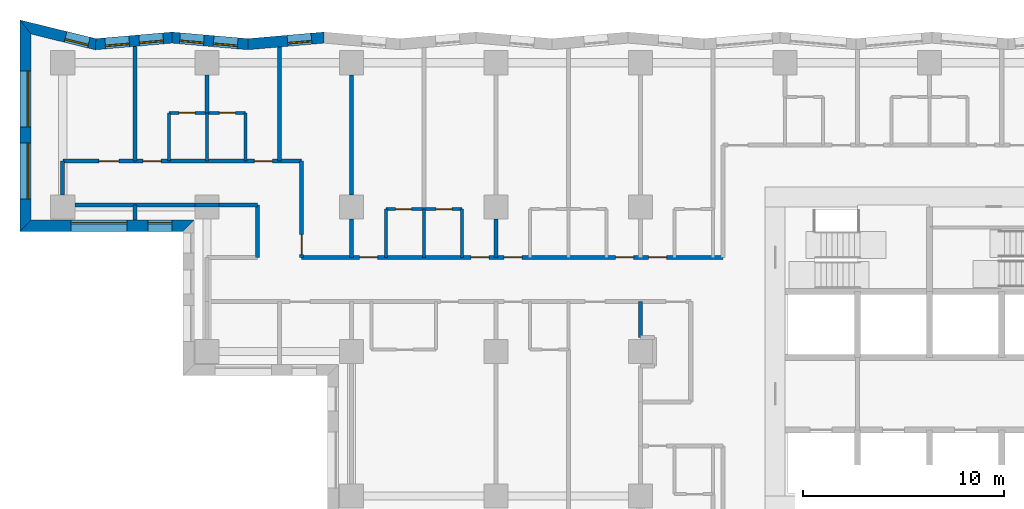
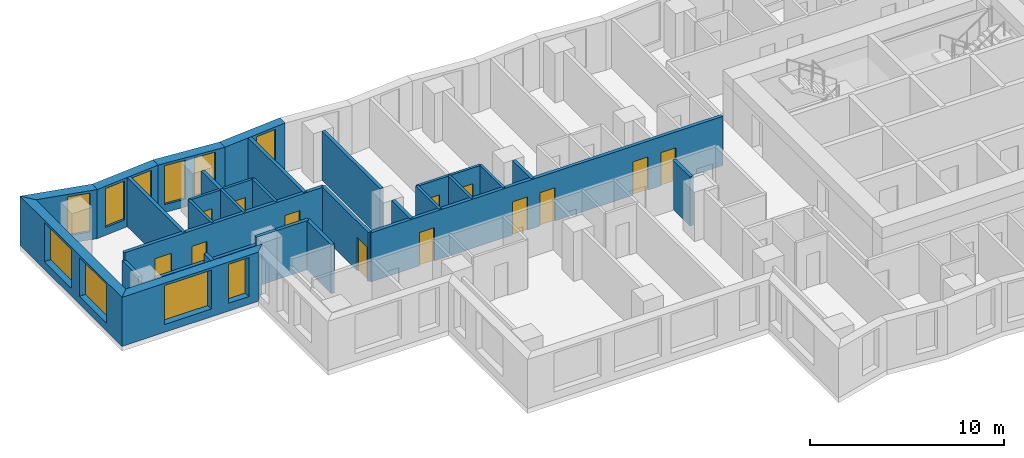
# One storey, part 4 of 13: 30 walls, 13 doors, 10 windows, 23 openings.
"""IFC4 building model written with IfcOpenShell, lengths in metres."""

from ifc_helpers import new_model, si_unit, direction, frame, frame_2d, origin, place, context, subcontext, project, spatial, polyline, rectangle, outline, extrude, material, layer, layer_set, type_object, element, fill, save


model = new_model("IFC4")

# Units and contexts
model_context = context("Model", 3, precision=1e-05, world=origin(), true_north=direction((0.0, 1.0)))
body_context = subcontext(model_context, "Body", "Model", "MODEL_VIEW")
ifc_project = project(units=[si_unit("LENGTHUNIT", "METRE"), si_unit("AREAUNIT", "SQUARE_METRE"), si_unit("VOLUMEUNIT", "CUBIC_METRE"), si_unit("PLANEANGLEUNIT", "RADIAN"), si_unit("MASSUNIT", "GRAM", prefix="KILO")], contexts=[model_context])

# Site, building, storey
site_placement = place(None, origin())
site = spatial("IfcSite", under=ifc_project, at=site_placement, CompositionType="ELEMENT")
building_placement = place(site_placement, origin())
building = spatial("IfcBuilding", under=site, at=building_placement, Name="Windrow Commons", CompositionType="ELEMENT")
storey_placement = place(building_placement, frame((0.0, 0.0, 30.4)))
storey = spatial("IfcBuildingStorey", under=building, at=storey_placement, Name="L07", CompositionType="ELEMENT", Elevation=30.4)

# Wall, opening, window
ifc_material_1 = material(Name="Brick masonry, red clay brick", Category="masonry")
ifc_layer_1 = layer(ifc_material_1, 0.55)
ifc_layer_set_1 = layer_set([ifc_layer_1], Name="Brick facade wall 550")
wall_type_1 = type_object("IfcWallType", Name="Brick facade wall 550", PredefinedType="SOLIDWALL", material=ifc_layer_set_1)
wall_1_placement = place(storey_placement, frame((34.6231, 73.254, 0.0), z_axis=(0.0, 0.0, 1.0), x_axis=(-0.9962273538, -0.0867816769, 0.0)))
wall_1 = element("IfcWall", 1, at=wall_1_placement, inside=storey, type_object=wall_type_1, Name="Brick facade wall L07 35", PredefinedType="SOLIDWALL", context=body_context, shape_type="SweptSolid", body=[
    extrude(outline(polyline([(-0.024, -0.275), (3.7787, -0.275), (3.8266, 0.275), (0.024, 0.275), (-0.024, -0.275)])), origin(), (0.0, 0.0, 1.0), 3.1),
])
opening_1_placement = place(wall_1_placement, frame((0.6277, 0.0, 0.5)))
opening_1 = element("IfcOpeningElement", 2, at=opening_1_placement, cuts=wall_1, Name="Opening W7D", PredefinedType="OPENING", context=body_context, shape_type="SweptSolid", body=[
    extrude(rectangle(XDim=1.2, YDim=2.45, at=frame_2d((0.6, 1.225))), frame((0.0, 0.285, 0.0), z_axis=(0.0, -1.0, 0.0), x_axis=(1.0, 0.0, 0.0)), (0.0, 0.0, 1.0), 0.57),
])
ifc_material_2 = material(Name="Clear float glass in anodised aluminium frame", Category="aluminium")
window_type_1 = type_object("IfcWindowType", Name="Window W7 notch 1200x2450", PartitioningType="SINGLE_PANEL", PredefinedType="WINDOW", material=ifc_material_2)
window_1_placement = place(opening_1_placement, origin())
window_1 = element("IfcWindow", 3, at=window_1_placement, inside=storey, type_object=window_type_1, Name="Window L07 35.1", OverallHeight=2.45, OverallWidth=1.2, PartitioningType="SINGLE_PANEL", PredefinedType="WINDOW", context=body_context, shape_type="SweptSolid", body=[
    extrude(rectangle(XDim=1.2, YDim=2.45, at=frame_2d((0.6, 1.225))), frame((0.0, 0.155, 0.0), z_axis=(0.0, -1.0, 0.0), x_axis=(1.0, 0.0, 0.0)), (0.0, 0.0, 1.0), 0.06),
])
fill(opening_1, window_1)

# Wall, openings, windows
wall_2_placement = place(storey_placement, frame((30.8348, 72.924, 0.0), z_axis=(0.0, 0.0, 1.0), x_axis=(-0.9962273538, 0.0867816769, 0.0)))
wall_2 = element("IfcWall", 4, at=wall_2_placement, inside=storey, type_object=wall_type_1, Name="Brick facade wall L07 36", PredefinedType="SOLIDWALL", context=body_context, shape_type="SweptSolid", body=[
    extrude(outline(polyline([(0.024, -0.275), (3.8266, -0.275), (3.7787, 0.275), (-0.024, 0.275), (0.024, -0.275)])), origin(), (0.0, 0.0, 1.0), 3.1),
])
opening_2_placement = place(wall_2_placement, frame((0.5213, 0.0, 0.5)))
opening_2 = element("IfcOpeningElement", 5, at=opening_2_placement, cuts=wall_2, Name="Opening W7D", PredefinedType="OPENING", context=body_context, shape_type="SweptSolid", body=[
    extrude(rectangle(XDim=1.2, YDim=2.45, at=frame_2d((0.6, 1.225))), frame((0.0, 0.285, 0.0), z_axis=(0.0, -1.0, 0.0), x_axis=(1.0, 0.0, 0.0)), (0.0, 0.0, 1.0), 0.57),
])
opening_3_placement = place(wall_2_placement, frame((2.2106, 0.0, 0.5)))
opening_3 = element("IfcOpeningElement", 6, at=opening_3_placement, cuts=wall_2, Name="Opening W7D", PredefinedType="OPENING", context=body_context, shape_type="SweptSolid", body=[
    extrude(rectangle(XDim=1.2, YDim=2.45, at=frame_2d((0.6, 1.225))), frame((0.0, 0.285, 0.0), z_axis=(0.0, -1.0, 0.0), x_axis=(1.0, 0.0, 0.0)), (0.0, 0.0, 1.0), 0.57),
])
window_2_placement = place(opening_2_placement, origin())
window_2 = element("IfcWindow", 7, at=window_2_placement, inside=storey, type_object=window_type_1, Name="Window L07 36.1", OverallHeight=2.45, OverallWidth=1.2, PartitioningType="SINGLE_PANEL", PredefinedType="WINDOW", context=body_context, shape_type="SweptSolid", body=[
    extrude(rectangle(XDim=1.2, YDim=2.45, at=frame_2d((0.6, 1.225))), frame((0.0, 0.155, 0.0), z_axis=(0.0, -1.0, 0.0), x_axis=(1.0, 0.0, 0.0)), (0.0, 0.0, 1.0), 0.06),
])
fill(opening_2, window_2)
window_3_placement = place(opening_3_placement, origin())
window_3 = element("IfcWindow", 8, at=window_3_placement, inside=storey, type_object=window_type_1, Name="Window L07 36.2", OverallHeight=2.45, OverallWidth=1.2, PartitioningType="SINGLE_PANEL", PredefinedType="WINDOW", context=body_context, shape_type="SweptSolid", body=[
    extrude(rectangle(XDim=1.2, YDim=2.45, at=frame_2d((0.6, 1.225))), frame((0.0, 0.155, 0.0), z_axis=(0.0, -1.0, 0.0), x_axis=(1.0, 0.0, 0.0)), (0.0, 0.0, 1.0), 0.06),
])
fill(opening_3, window_3)

wall_3_placement = place(storey_placement, frame((27.0465, 73.254, 0.0), z_axis=(0.0, 0.0, 1.0), x_axis=(-0.9962263466, -0.0867932393, 0.0)))
wall_3 = element("IfcWall", 9, at=wall_3_placement, inside=storey, type_object=wall_type_1, Name="Brick facade wall L07 37", PredefinedType="SOLIDWALL", context=body_context, shape_type="SweptSolid", body=[
    extrude(outline(polyline([(-0.024, -0.275), (3.7787, -0.275), (3.8696, 0.275), (0.024, 0.275), (-0.024, -0.275)])), origin(), (0.0, 0.0, 1.0), 3.1),
])
opening_4_placement = place(wall_3_placement, frame((0.4387, 0.0, 0.5)))
opening_4 = element("IfcOpeningElement", 10, at=opening_4_placement, cuts=wall_3, Name="Opening W7D", PredefinedType="OPENING", context=body_context, shape_type="SweptSolid", body=[
    extrude(rectangle(XDim=1.2, YDim=2.45, at=frame_2d((0.6, 1.225))), frame((0.0, 0.285, 0.0), z_axis=(0.0, -1.0, 0.0), x_axis=(1.0, 0.0, 0.0)), (0.0, 0.0, 1.0), 0.57),
])
opening_5_placement = place(wall_3_placement, frame((2.1388, 0.0, 0.5)))
opening_5 = element("IfcOpeningElement", 11, at=opening_5_placement, cuts=wall_3, Name="Opening W7D", PredefinedType="OPENING", context=body_context, shape_type="SweptSolid", body=[
    extrude(rectangle(XDim=1.2, YDim=2.45, at=frame_2d((0.6, 1.225))), frame((0.0, 0.285, 0.0), z_axis=(0.0, -1.0, 0.0), x_axis=(1.0, 0.0, 0.0)), (0.0, 0.0, 1.0), 0.57),
])
window_4_placement = place(opening_4_placement, origin())
window_4 = element("IfcWindow", 12, at=window_4_placement, inside=storey, type_object=window_type_1, Name="Window L07 37.1", OverallHeight=2.45, OverallWidth=1.2, PartitioningType="SINGLE_PANEL", PredefinedType="WINDOW", context=body_context, shape_type="SweptSolid", body=[
    extrude(rectangle(XDim=1.2, YDim=2.45, at=frame_2d((0.6, 1.225))), frame((0.0, 0.155, 0.0), z_axis=(0.0, -1.0, 0.0), x_axis=(1.0, 0.0, 0.0)), (0.0, 0.0, 1.0), 0.06),
])
fill(opening_4, window_4)
window_5_placement = place(opening_5_placement, origin())
window_5 = element("IfcWindow", 13, at=window_5_placement, inside=storey, type_object=window_type_1, Name="Window L07 37.2", OverallHeight=2.45, OverallWidth=1.2, PartitioningType="SINGLE_PANEL", PredefinedType="WINDOW", context=body_context, shape_type="SweptSolid", body=[
    extrude(rectangle(XDim=1.2, YDim=2.45, at=frame_2d((0.6, 1.225))), frame((0.0, 0.155, 0.0), z_axis=(0.0, -1.0, 0.0), x_axis=(1.0, 0.0, 0.0)), (0.0, 0.0, 1.0), 0.06),
])
fill(opening_5, window_5)

# Wall, opening, window
wall_4_placement = place(storey_placement, frame((23.2369, 72.9221, 0.0), z_axis=(0.0, 0.0, 1.0), x_axis=(-0.9711660271, 0.2384041692, 0.0)))
wall_4 = element("IfcWall", 14, at=wall_4_placement, inside=storey, type_object=wall_type_1, Name="Brick facade wall L07 38", PredefinedType="SOLIDWALL", context=body_context, shape_type="SweptSolid", body=[
    extrude(outline(polyline([(0.0455, -0.275), (3.9462, -0.275), (3.2449, 0.275), (-0.0455, 0.275), (0.0455, -0.275)])), origin(), (0.0, 0.0, 1.0), 3.1),
])
opening_6_placement = place(wall_4_placement, frame((0.3427, 0.0, 0.5)))
opening_6 = element("IfcOpeningElement", 15, at=opening_6_placement, cuts=wall_4, Name="Opening W7D", PredefinedType="OPENING", context=body_context, shape_type="SweptSolid", body=[
    extrude(rectangle(XDim=1.2, YDim=2.45, at=frame_2d((0.6, 1.225))), frame((0.0, 0.285, 0.0), z_axis=(0.0, -1.0, 0.0), x_axis=(1.0, 0.0, 0.0)), (0.0, 0.0, 1.0), 0.57),
])
window_6_placement = place(opening_6_placement, origin())
window_6 = element("IfcWindow", 16, at=window_6_placement, inside=storey, type_object=window_type_1, Name="Window L07 38.1", OverallHeight=2.45, OverallWidth=1.2, PartitioningType="SINGLE_PANEL", PredefinedType="WINDOW", context=body_context, shape_type="SweptSolid", body=[
    extrude(rectangle(XDim=1.2, YDim=2.45, at=frame_2d((0.6, 1.225))), frame((0.0, 0.155, 0.0), z_axis=(0.0, -1.0, 0.0), x_axis=(1.0, 0.0, 0.0)), (0.0, 0.0, 1.0), 0.06),
])
fill(opening_6, window_6)

# Wall, openings, windows
wall_5_placement = place(storey_placement, frame((19.745, 73.7793, 0.0), z_axis=(0.0, 0.0, 1.0), x_axis=(0.0, -1.0, 0.0)))
wall_5 = element("IfcWall", 17, at=wall_5_placement, inside=storey, type_object=wall_type_1, Name="Brick facade wall L07 39", PredefinedType="SOLIDWALL", context=body_context, shape_type="SweptSolid", body=[
    extrude(outline(polyline([(-0.3507, -0.275), (10.1793, -0.275), (9.6293, 0.275), (0.3507, 0.275), (-0.3507, -0.275)])), origin(), (0.0, 0.0, 1.0), 3.1),
])
opening_7_placement = place(wall_5_placement, frame((2.1793, 0.0, 0.5)))
opening_7 = element("IfcOpeningElement", 18, at=opening_7_placement, cuts=wall_5, Name="Opening W1T", PredefinedType="OPENING", context=body_context, shape_type="SweptSolid", body=[
    extrude(rectangle(XDim=2.8, YDim=2.45, at=frame_2d((1.4, 1.225))), frame((0.0, 0.285, 0.0), z_axis=(0.0, -1.0, 0.0), x_axis=(1.0, 0.0, 0.0)), (0.0, 0.0, 1.0), 0.57),
])
opening_8_placement = place(wall_5_placement, frame((5.7793, 0.0, 0.5)))
opening_8 = element("IfcOpeningElement", 19, at=opening_8_placement, cuts=wall_5, Name="Opening W1T", PredefinedType="OPENING", context=body_context, shape_type="SweptSolid", body=[
    extrude(rectangle(XDim=2.8, YDim=2.45, at=frame_2d((1.4, 1.225))), frame((0.0, 0.285, 0.0), z_axis=(0.0, -1.0, 0.0), x_axis=(1.0, 0.0, 0.0)), (0.0, 0.0, 1.0), 0.57),
])
ifc_material_3 = material(Name="Clear float glass in anodised aluminium frame", Category="aluminium")
window_type_2 = type_object("IfcWindowType", Name="Window W1T bedroom 2800x2450", PartitioningType="SINGLE_PANEL", PredefinedType="WINDOW", material=ifc_material_3)
window_7_placement = place(opening_7_placement, origin())
window_7 = element("IfcWindow", 20, at=window_7_placement, inside=storey, type_object=window_type_2, Name="Window L07 39.1", OverallHeight=2.45, OverallWidth=2.8, PartitioningType="SINGLE_PANEL", PredefinedType="WINDOW", context=body_context, shape_type="SweptSolid", body=[
    extrude(rectangle(XDim=2.8, YDim=2.45, at=frame_2d((1.4, 1.225))), frame((0.0, 0.155, 0.0), z_axis=(0.0, -1.0, 0.0), x_axis=(1.0, 0.0, 0.0)), (0.0, 0.0, 1.0), 0.06),
])
fill(opening_7, window_7)
window_8_placement = place(opening_8_placement, origin())
window_8 = element("IfcWindow", 21, at=window_8_placement, inside=storey, type_object=window_type_2, Name="Window L07 39.2", OverallHeight=2.45, OverallWidth=2.8, PartitioningType="SINGLE_PANEL", PredefinedType="WINDOW", context=body_context, shape_type="SweptSolid", body=[
    extrude(rectangle(XDim=2.8, YDim=2.45, at=frame_2d((1.4, 1.225))), frame((0.0, 0.155, 0.0), z_axis=(0.0, -1.0, 0.0), x_axis=(1.0, 0.0, 0.0)), (0.0, 0.0, 1.0), 0.06),
])
fill(opening_8, window_8)

wall_6_placement = place(storey_placement, frame((19.745, 63.875, 0.0), z_axis=(0.0, 0.0, 1.0), x_axis=(1.0, 0.0, 0.0)))
wall_6 = element("IfcWall", 22, at=wall_6_placement, inside=storey, type_object=wall_type_1, Name="Brick facade wall L07 40", PredefinedType="SOLIDWALL", context=body_context, shape_type="SweptSolid", body=[
    extrude(outline(polyline([(-0.275, -0.275), (7.855, -0.275), (8.405, 0.275), (0.275, 0.275), (-0.275, -0.275)])), origin(), (0.0, 0.0, 1.0), 3.1),
])
opening_9_placement = place(wall_6_placement, frame((2.255, 0.0, 0.5)))
opening_9 = element("IfcOpeningElement", 23, at=opening_9_placement, cuts=wall_6, Name="Opening W1T", PredefinedType="OPENING", context=body_context, shape_type="SweptSolid", body=[
    extrude(rectangle(XDim=2.8, YDim=2.45, at=frame_2d((1.4, 1.225))), frame((0.0, 0.285, 0.0), z_axis=(0.0, -1.0, 0.0), x_axis=(1.0, 0.0, 0.0)), (0.0, 0.0, 1.0), 0.57),
])
opening_10_placement = place(wall_6_placement, frame((6.0925, 0.0, 0.5)))
opening_10 = element("IfcOpeningElement", 24, at=opening_10_placement, cuts=wall_6, Name="Opening W7D", PredefinedType="OPENING", context=body_context, shape_type="SweptSolid", body=[
    extrude(rectangle(XDim=1.2, YDim=2.45, at=frame_2d((0.6, 1.225))), frame((0.0, 0.285, 0.0), z_axis=(0.0, -1.0, 0.0), x_axis=(1.0, 0.0, 0.0)), (0.0, 0.0, 1.0), 0.57),
])
window_9_placement = place(opening_9_placement, origin())
window_9 = element("IfcWindow", 25, at=window_9_placement, inside=storey, type_object=window_type_2, Name="Window L07 40.1", OverallHeight=2.45, OverallWidth=2.8, PartitioningType="SINGLE_PANEL", PredefinedType="WINDOW", context=body_context, shape_type="SweptSolid", body=[
    extrude(rectangle(XDim=2.8, YDim=2.45, at=frame_2d((1.4, 1.225))), frame((0.0, 0.155, 0.0), z_axis=(0.0, -1.0, 0.0), x_axis=(1.0, 0.0, 0.0)), (0.0, 0.0, 1.0), 0.06),
])
fill(opening_9, window_9)
window_10_placement = place(opening_10_placement, origin())
window_10 = element("IfcWindow", 26, at=window_10_placement, inside=storey, type_object=window_type_1, Name="Window L07 40.2", OverallHeight=2.45, OverallWidth=1.2, PartitioningType="SINGLE_PANEL", PredefinedType="WINDOW", context=body_context, shape_type="SweptSolid", body=[
    extrude(rectangle(XDim=1.2, YDim=2.45, at=frame_2d((0.6, 1.225))), frame((0.0, 0.155, 0.0), z_axis=(0.0, -1.0, 0.0), x_axis=(1.0, 0.0, 0.0)), (0.0, 0.0, 1.0), 0.06),
])
fill(opening_10, window_10)

# Wall, openings, doors
ifc_material_4 = material(Name="Blockwork partition", Category="masonry")
ifc_layer_2 = layer(ifc_material_4, 0.2)
ifc_layer_set_2 = layer_set([ifc_layer_2], Name="IW-CORRIDOR-200")
wall_type_2 = type_object("IfcWallType", Name="IW-CORRIDOR-200", PredefinedType="PARTITIONING", material=ifc_layer_set_2)
wall_7_placement = place(storey_placement, frame((33.502, 62.3, 0.0), z_axis=(0.0, 0.0, 1.0), x_axis=(1.0, 0.0, 0.0)))
wall_7 = element("IfcWall", 27, at=wall_7_placement, inside=storey, type_object=wall_type_2, Name="W-L07-W001", PredefinedType="PARTITIONING", context=body_context, shape_type="SweptSolid", body=[
    extrude(rectangle(XDim=20.998, YDim=0.2, at=frame_2d((10.499, 0.0))), origin(), (0.0, 0.0, 1.0), 3.1),
])
opening_11_placement = place(wall_7_placement, frame((2.898, 0.0, 0.0)))
opening_11 = element("IfcOpeningElement", 28, at=opening_11_placement, cuts=wall_7, Name="Opening D109S", PredefinedType="OPENING", context=body_context, shape_type="SweptSolid", body=[
    extrude(rectangle(XDim=0.9, YDim=2.1, at=frame_2d((0.45, 1.05))), frame((0.0, 0.11, 0.0), z_axis=(0.0, -1.0, 0.0), x_axis=(1.0, 0.0, 0.0)), (0.0, 0.0, 1.0), 0.22),
])
opening_12_placement = place(wall_7_placement, frame((8.448, 0.0, 0.0)))
opening_12 = element("IfcOpeningElement", 29, at=opening_12_placement, cuts=wall_7, Name="Opening D109S", PredefinedType="OPENING", context=body_context, shape_type="SweptSolid", body=[
    extrude(rectangle(XDim=0.9, YDim=2.1, at=frame_2d((0.45, 1.05))), frame((0.0, 0.11, 0.0), z_axis=(0.0, -1.0, 0.0), x_axis=(1.0, 0.0, 0.0)), (0.0, 0.0, 1.0), 0.22),
])
opening_13_placement = place(wall_7_placement, frame((10.098, 0.0, 0.0)))
opening_13 = element("IfcOpeningElement", 30, at=opening_13_placement, cuts=wall_7, Name="Opening D109S", PredefinedType="OPENING", context=body_context, shape_type="SweptSolid", body=[
    extrude(rectangle(XDim=0.9, YDim=2.1, at=frame_2d((0.45, 1.05))), frame((0.0, 0.11, 0.0), z_axis=(0.0, -1.0, 0.0), x_axis=(1.0, 0.0, 0.0)), (0.0, 0.0, 1.0), 0.22),
])
opening_14_placement = place(wall_7_placement, frame((15.648, 0.0, 0.0)))
opening_14 = element("IfcOpeningElement", 31, at=opening_14_placement, cuts=wall_7, Name="Opening D109S", PredefinedType="OPENING", context=body_context, shape_type="SweptSolid", body=[
    extrude(rectangle(XDim=0.9, YDim=2.1, at=frame_2d((0.45, 1.05))), frame((0.0, 0.11, 0.0), z_axis=(0.0, -1.0, 0.0), x_axis=(1.0, 0.0, 0.0)), (0.0, 0.0, 1.0), 0.22),
])
opening_15_placement = place(wall_7_placement, frame((17.298, 0.0, 0.0)))
opening_15 = element("IfcOpeningElement", 32, at=opening_15_placement, cuts=wall_7, Name="Opening D109S", PredefinedType="OPENING", context=body_context, shape_type="SweptSolid", body=[
    extrude(rectangle(XDim=0.9, YDim=2.1, at=frame_2d((0.45, 1.05))), frame((0.0, 0.11, 0.0), z_axis=(0.0, -1.0, 0.0), x_axis=(1.0, 0.0, 0.0)), (0.0, 0.0, 1.0), 0.22),
])
ifc_material_5 = material(Name="Timber door leaf", Category="wood")
door_type_1 = type_object("IfcDoorType", Name="DT-BEDROOM-900", OperationType="SINGLE_SWING_LEFT", PredefinedType="DOOR", material=ifc_material_5)
door_1_placement = place(opening_11_placement, origin())
door_1 = element("IfcDoor", 33, at=door_1_placement, inside=storey, type_object=door_type_1, Name="D-L07-D014", OperationType="SINGLE_SWING_RIGHT", OverallHeight=2.1, OverallWidth=0.9, PredefinedType="DOOR", context=body_context, shape_type="SweptSolid", body=[
    extrude(rectangle(XDim=0.9, YDim=2.1, at=frame_2d((0.45, 1.05))), frame((0.0, 0.025, 0.0), z_axis=(0.0, -1.0, 0.0), x_axis=(1.0, 0.0, 0.0)), (0.0, 0.0, 1.0), 0.05),
])
fill(opening_11, door_1)
door_2_placement = place(opening_12_placement, origin())
door_2 = element("IfcDoor", 34, at=door_2_placement, inside=storey, type_object=door_type_1, Name="D-L07-D016", OperationType="SINGLE_SWING_LEFT", OverallHeight=2.1, OverallWidth=0.9, PredefinedType="DOOR", context=body_context, shape_type="SweptSolid", body=[
    extrude(rectangle(XDim=0.9, YDim=2.1, at=frame_2d((0.45, 1.05))), frame((0.0, 0.025, 0.0), z_axis=(0.0, -1.0, 0.0), x_axis=(1.0, 0.0, 0.0)), (0.0, 0.0, 1.0), 0.05),
])
fill(opening_12, door_2)
door_3_placement = place(opening_13_placement, origin())
door_3 = element("IfcDoor", 35, at=door_3_placement, inside=storey, type_object=door_type_1, Name="D-L07-D018", OperationType="SINGLE_SWING_RIGHT", OverallHeight=2.1, OverallWidth=0.9, PredefinedType="DOOR", context=body_context, shape_type="SweptSolid", body=[
    extrude(rectangle(XDim=0.9, YDim=2.1, at=frame_2d((0.45, 1.05))), frame((0.0, 0.025, 0.0), z_axis=(0.0, -1.0, 0.0), x_axis=(1.0, 0.0, 0.0)), (0.0, 0.0, 1.0), 0.05),
])
fill(opening_13, door_3)
door_4_placement = place(opening_14_placement, origin())
door_4 = element("IfcDoor", 36, at=door_4_placement, inside=storey, type_object=door_type_1, Name="D-L07-D020", OperationType="SINGLE_SWING_LEFT", OverallHeight=2.1, OverallWidth=0.9, PredefinedType="DOOR", context=body_context, shape_type="SweptSolid", body=[
    extrude(rectangle(XDim=0.9, YDim=2.1, at=frame_2d((0.45, 1.05))), frame((0.0, 0.025, 0.0), z_axis=(0.0, -1.0, 0.0), x_axis=(1.0, 0.0, 0.0)), (0.0, 0.0, 1.0), 0.05),
])
fill(opening_14, door_4)
door_5_placement = place(opening_15_placement, origin())
door_5 = element("IfcDoor", 37, at=door_5_placement, inside=storey, type_object=door_type_1, Name="D-L07-D022", OperationType="SINGLE_SWING_RIGHT", OverallHeight=2.1, OverallWidth=0.9, PredefinedType="DOOR", context=body_context, shape_type="SweptSolid", body=[
    extrude(rectangle(XDim=0.9, YDim=2.1, at=frame_2d((0.45, 1.05))), frame((0.0, 0.025, 0.0), z_axis=(0.0, -1.0, 0.0), x_axis=(1.0, 0.0, 0.0)), (0.0, 0.0, 1.0), 0.05),
])
fill(opening_15, door_5)

wall_8_placement = place(storey_placement, frame((21.602, 67.1, 0.0), z_axis=(0.0, 0.0, 1.0), x_axis=(1.0, 0.0, 0.0)))
wall_8 = element("IfcWall", 38, at=wall_8_placement, inside=storey, type_object=wall_type_2, Name="W-L07-W005", PredefinedType="PARTITIONING", context=body_context, shape_type="SweptSolid", body=[
    extrude(rectangle(XDim=11.898, YDim=0.2, at=frame_2d((5.949, 0.0))), origin(), (0.0, 0.0, 1.0), 3.1),
])
opening_16_placement = place(wall_8_placement, frame((1.7981, 0.0, 0.0)))
opening_16 = element("IfcOpeningElement", 39, at=opening_16_placement, cuts=wall_8, Name="Opening D310F", PredefinedType="OPENING", context=body_context, shape_type="SweptSolid", body=[
    extrude(rectangle(XDim=1.0, YDim=2.1, at=frame_2d((0.5, 1.05))), frame((0.0, 0.11, 0.0), z_axis=(0.0, -1.0, 0.0), x_axis=(1.0, 0.0, 0.0)), (0.0, 0.0, 1.0), 0.22),
])
opening_17_placement = place(wall_8_placement, frame((3.998, 0.0, 0.0)))
opening_17 = element("IfcOpeningElement", 40, at=opening_17_placement, cuts=wall_8, Name="Opening D109S", PredefinedType="OPENING", context=body_context, shape_type="SweptSolid", body=[
    extrude(rectangle(XDim=0.9, YDim=2.1, at=frame_2d((0.45, 1.05))), frame((0.0, 0.11, 0.0), z_axis=(0.0, -1.0, 0.0), x_axis=(1.0, 0.0, 0.0)), (0.0, 0.0, 1.0), 0.22),
])
opening_18_placement = place(wall_8_placement, frame((9.548, 0.0, 0.0)))
opening_18 = element("IfcOpeningElement", 41, at=opening_18_placement, cuts=wall_8, Name="Opening D109S", PredefinedType="OPENING", context=body_context, shape_type="SweptSolid", body=[
    extrude(rectangle(XDim=0.9, YDim=2.1, at=frame_2d((0.45, 1.05))), frame((0.0, 0.11, 0.0), z_axis=(0.0, -1.0, 0.0), x_axis=(1.0, 0.0, 0.0)), (0.0, 0.0, 1.0), 0.22),
])
ifc_material_6 = material(Name="Timber door leaf", Category="wood")
door_type_2 = type_object("IfcDoorType", Name="DT-AMENITY-1000", OperationType="SINGLE_SWING_LEFT", PredefinedType="DOOR", material=ifc_material_6)
door_6_placement = place(opening_16_placement, origin())
door_6 = element("IfcDoor", 42, at=door_6_placement, inside=storey, type_object=door_type_2, Name="D-L07-D001", OperationType="SINGLE_SWING_RIGHT", OverallHeight=2.1, OverallWidth=1.0, PredefinedType="DOOR", context=body_context, shape_type="SweptSolid", body=[
    extrude(rectangle(XDim=1.0, YDim=2.1, at=frame_2d((0.5, 1.05))), frame((0.0, 0.025, 0.0), z_axis=(0.0, -1.0, 0.0), x_axis=(1.0, 0.0, 0.0)), (0.0, 0.0, 1.0), 0.05),
])
fill(opening_16, door_6)
door_7_placement = place(opening_17_placement, origin())
door_7 = element("IfcDoor", 43, at=door_7_placement, inside=storey, type_object=door_type_1, Name="D-L07-D003", OperationType="SINGLE_SWING_LEFT", OverallHeight=2.1, OverallWidth=0.9, PredefinedType="DOOR", context=body_context, shape_type="SweptSolid", body=[
    extrude(rectangle(XDim=0.9, YDim=2.1, at=frame_2d((0.45, 1.05))), frame((0.0, 0.025, 0.0), z_axis=(0.0, -1.0, 0.0), x_axis=(1.0, 0.0, 0.0)), (0.0, 0.0, 1.0), 0.05),
])
fill(opening_17, door_7)
door_8_placement = place(opening_18_placement, origin())
door_8 = element("IfcDoor", 44, at=door_8_placement, inside=storey, type_object=door_type_1, Name="D-L07-D005", OperationType="SINGLE_SWING_RIGHT", OverallHeight=2.1, OverallWidth=0.9, PredefinedType="DOOR", context=body_context, shape_type="SweptSolid", body=[
    extrude(rectangle(XDim=0.9, YDim=2.1, at=frame_2d((0.45, 1.05))), frame((0.0, 0.025, 0.0), z_axis=(0.0, -1.0, 0.0), x_axis=(1.0, 0.0, 0.0)), (0.0, 0.0, 1.0), 0.05),
])
fill(opening_18, door_8)

# Wall
wall_9_placement = place(storey_placement, frame((22.2, 64.9, 0.0), z_axis=(0.0, 0.0, 1.0), x_axis=(1.0, 0.0, 0.0)))
element("IfcWall", 45, at=wall_9_placement, inside=storey, type_object=wall_type_2, Name="W-L07-W028", PredefinedType="PARTITIONING", context=body_context, shape_type="SweptSolid", body=[
    extrude(rectangle(XDim=6.0, YDim=0.2, at=frame_2d((3.0, 0.0))), origin(), (0.0, 0.0, 1.0), 2.6),
])

# Wall, opening, door
wall_10_placement = place(storey_placement, frame((33.5, 62.302, 0.0), z_axis=(0.0, 0.0, 1.0), x_axis=(0.0, 1.0, 0.0)))
wall_10 = element("IfcWall", 46, at=wall_10_placement, inside=storey, type_object=wall_type_2, Name="W-L07-W051", PredefinedType="PARTITIONING", context=body_context, shape_type="SweptSolid", body=[
    extrude(rectangle(XDim=4.798, YDim=0.2, at=frame_2d((2.399, 0.0))), origin(), (0.0, 0.0, 1.0), 3.1),
])
opening_19_placement = place(wall_10_placement, frame((0.133, 0.0, 0.0)))
opening_19 = element("IfcOpeningElement", 47, at=opening_19_placement, cuts=wall_10, Name="Opening D310F", PredefinedType="OPENING", context=body_context, shape_type="SweptSolid", body=[
    extrude(rectangle(XDim=1.0, YDim=2.1, at=frame_2d((0.5, 1.05))), frame((0.0, 0.11, 0.0), z_axis=(0.0, -1.0, 0.0), x_axis=(1.0, 0.0, 0.0)), (0.0, 0.0, 1.0), 0.22),
])
door_9_placement = place(opening_19_placement, origin())
door_9 = element("IfcDoor", 48, at=door_9_placement, inside=storey, type_object=door_type_2, Name="D-L07-D013", OperationType="SINGLE_SWING_LEFT", OverallHeight=2.1, OverallWidth=1.0, PredefinedType="DOOR", context=body_context, shape_type="SweptSolid", body=[
    extrude(rectangle(XDim=1.0, YDim=2.1, at=frame_2d((0.5, 1.05))), frame((0.0, 0.025, 0.0), z_axis=(0.0, -1.0, 0.0), x_axis=(1.0, 0.0, 0.0)), (0.0, 0.0, 1.0), 0.05),
])
fill(opening_19, door_9)

# Walls
wall_11_placement = place(storey_placement, frame((31.3, 62.302, 0.0), z_axis=(0.0, 0.0, 1.0), x_axis=(0.0, 1.0, 0.0)))
element("IfcWall", 49, at=wall_11_placement, inside=storey, type_object=wall_type_2, Name="W-L07-W074", PredefinedType="PARTITIONING", context=body_context, shape_type="SweptSolid", body=[
    extrude(rectangle(XDim=2.598, YDim=0.2, at=frame_2d((1.299, 0.0))), origin(), (0.0, 0.0, 1.0), 3.1),
])
wall_12_placement = place(storey_placement, frame((29.4, 64.9, 0.0), z_axis=(0.0, 0.0, 1.0), x_axis=(1.0, 0.0, 0.0)))
element("IfcWall", 50, at=wall_12_placement, inside=storey, type_object=wall_type_2, Name="W-L07-W145", PredefinedType="PARTITIONING", context=body_context, shape_type="SweptSolid", body=[
    extrude(rectangle(XDim=1.9, YDim=0.2, at=frame_2d((0.95, 0.0))), origin(), (0.0, 0.0, 1.0), 3.1),
])
wall_13_placement = place(storey_placement, frame((21.6, 65.4, 0.0), z_axis=(0.0, 0.0, 1.0), x_axis=(0.0, 1.0, 0.0)))
element("IfcWall", 51, at=wall_13_placement, inside=storey, type_object=wall_type_2, Name="W-L07-W165", PredefinedType="PARTITIONING", context=body_context, shape_type="SweptSolid", body=[
    extrude(rectangle(XDim=1.698, YDim=0.2, at=frame_2d((0.849, 0.0))), origin(), (0.0, 0.0, 1.0), 2.6),
])
wall_14_placement = place(storey_placement, frame((28.2, 64.9, 0.0), z_axis=(0.0, 0.0, 1.0), x_axis=(1.0, 0.0, 0.0)))
element("IfcWall", 52, at=wall_14_placement, inside=storey, type_object=wall_type_2, Name="W-L07-W211", PredefinedType="PARTITIONING", context=body_context, shape_type="SweptSolid", body=[
    extrude(rectangle(XDim=1.2, YDim=0.2, at=frame_2d((0.6, 0.0))), origin(), (0.0, 0.0, 1.0), 3.1),
])

# Wall, openings, doors
ifc_material_7 = material(Name="Blockwork partition", Category="masonry")
ifc_layer_3 = layer(ifc_material_7, 0.15)
ifc_layer_set_3 = layer_set([ifc_layer_3], Name="IW-ENSUITE-150")
wall_type_3 = type_object("IfcWallType", Name="IW-ENSUITE-150", PredefinedType="PARTITIONING", material=ifc_layer_set_3)
wall_15_placement = place(storey_placement, frame((26.9, 69.5, 0.0), z_axis=(0.0, 0.0, 1.0), x_axis=(1.0, 0.0, 0.0)))
wall_15 = element("IfcWall", 53, at=wall_15_placement, inside=storey, type_object=wall_type_3, Name="W-L07-W063", PredefinedType="PARTITIONING", context=body_context, shape_type="SweptSolid", body=[
    extrude(rectangle(XDim=3.8, YDim=0.15, at=frame_2d((1.9, 0.0))), origin(), (0.0, 0.0, 1.0), 3.1),
])
opening_20_placement = place(wall_15_placement, frame((0.4931, 0.0, 0.0)))
opening_20 = element("IfcOpeningElement", 54, at=opening_20_placement, cuts=wall_15, Name="Opening D208N", PredefinedType="OPENING", context=body_context, shape_type="SweptSolid", body=[
    extrude(rectangle(XDim=0.8, YDim=2.1, at=frame_2d((0.4, 1.05))), frame((0.0, 0.085, 0.0), z_axis=(0.0, -1.0, 0.0), x_axis=(1.0, 0.0, 0.0)), (0.0, 0.0, 1.0), 0.17),
])
opening_21_placement = place(wall_15_placement, frame((2.5069, 0.0, 0.0)))
opening_21 = element("IfcOpeningElement", 55, at=opening_21_placement, cuts=wall_15, Name="Opening D208N", PredefinedType="OPENING", context=body_context, shape_type="SweptSolid", body=[
    extrude(rectangle(XDim=0.8, YDim=2.1, at=frame_2d((0.4, 1.05))), frame((0.0, 0.085, 0.0), z_axis=(0.0, -1.0, 0.0), x_axis=(1.0, 0.0, 0.0)), (0.0, 0.0, 1.0), 0.17),
])
ifc_material_8 = material(Name="Timber door leaf", Category="wood")
door_type_3 = type_object("IfcDoorType", Name="DT-ENSUITE-800", OperationType="SINGLE_SWING_LEFT", PredefinedType="DOOR", material=ifc_material_8)
door_10_placement = place(opening_20_placement, origin())
door_10 = element("IfcDoor", 56, at=door_10_placement, inside=storey, type_object=door_type_3, Name="D-L07-D004", OperationType="SINGLE_SWING_RIGHT", OverallHeight=2.1, OverallWidth=0.8, PredefinedType="DOOR", context=body_context, shape_type="SweptSolid", body=[
    extrude(rectangle(XDim=0.8, YDim=2.1, at=frame_2d((0.4, 1.05))), frame((0.0, 0.025, 0.0), z_axis=(0.0, -1.0, 0.0), x_axis=(1.0, 0.0, 0.0)), (0.0, 0.0, 1.0), 0.05),
])
fill(opening_20, door_10)
door_11_placement = place(opening_21_placement, origin())
door_11 = element("IfcDoor", 57, at=door_11_placement, inside=storey, type_object=door_type_3, Name="D-L07-D006", OperationType="SINGLE_SWING_RIGHT", OverallHeight=2.1, OverallWidth=0.8, PredefinedType="DOOR", context=body_context, shape_type="SweptSolid", body=[
    extrude(rectangle(XDim=0.8, YDim=2.1, at=frame_2d((0.4, 1.05))), frame((0.0, 0.025, 0.0), z_axis=(0.0, -1.0, 0.0), x_axis=(1.0, 0.0, 0.0)), (0.0, 0.0, 1.0), 0.05),
])
fill(opening_21, door_11)

wall_16_placement = place(storey_placement, frame((37.7, 64.7, 0.0), z_axis=(0.0, 0.0, 1.0), x_axis=(1.0, 0.0, 0.0)))
wall_16 = element("IfcWall", 58, at=wall_16_placement, inside=storey, type_object=wall_type_3, Name="W-L07-W064", PredefinedType="PARTITIONING", context=body_context, shape_type="SweptSolid", body=[
    extrude(rectangle(XDim=3.8, YDim=0.15, at=frame_2d((1.9, 0.0))), origin(), (0.0, 0.0, 1.0), 3.1),
])
opening_22_placement = place(wall_16_placement, frame((0.4931, 0.0, 0.0)))
opening_22 = element("IfcOpeningElement", 59, at=opening_22_placement, cuts=wall_16, Name="Opening D208N", PredefinedType="OPENING", context=body_context, shape_type="SweptSolid", body=[
    extrude(rectangle(XDim=0.8, YDim=2.1, at=frame_2d((0.4, 1.05))), frame((0.0, 0.085, 0.0), z_axis=(0.0, -1.0, 0.0), x_axis=(1.0, 0.0, 0.0)), (0.0, 0.0, 1.0), 0.17),
])
opening_23_placement = place(wall_16_placement, frame((2.5069, 0.0, 0.0)))
opening_23 = element("IfcOpeningElement", 60, at=opening_23_placement, cuts=wall_16, Name="Opening D208N", PredefinedType="OPENING", context=body_context, shape_type="SweptSolid", body=[
    extrude(rectangle(XDim=0.8, YDim=2.1, at=frame_2d((0.4, 1.05))), frame((0.0, 0.085, 0.0), z_axis=(0.0, -1.0, 0.0), x_axis=(1.0, 0.0, 0.0)), (0.0, 0.0, 1.0), 0.17),
])
door_12_placement = place(opening_22_placement, origin())
door_12 = element("IfcDoor", 61, at=door_12_placement, inside=storey, type_object=door_type_3, Name="D-L07-D015", OperationType="SINGLE_SWING_RIGHT", OverallHeight=2.1, OverallWidth=0.8, PredefinedType="DOOR", context=body_context, shape_type="SweptSolid", body=[
    extrude(rectangle(XDim=0.8, YDim=2.1, at=frame_2d((0.4, 1.05))), frame((0.0, 0.025, 0.0), z_axis=(0.0, -1.0, 0.0), x_axis=(1.0, 0.0, 0.0)), (0.0, 0.0, 1.0), 0.05),
])
fill(opening_22, door_12)
door_13_placement = place(opening_23_placement, origin())
door_13 = element("IfcDoor", 62, at=door_13_placement, inside=storey, type_object=door_type_3, Name="D-L07-D017", OperationType="SINGLE_SWING_RIGHT", OverallHeight=2.1, OverallWidth=0.8, PredefinedType="DOOR", context=body_context, shape_type="SweptSolid", body=[
    extrude(rectangle(XDim=0.8, YDim=2.1, at=frame_2d((0.4, 1.05))), frame((0.0, 0.025, 0.0), z_axis=(0.0, -1.0, 0.0), x_axis=(1.0, 0.0, 0.0)), (0.0, 0.0, 1.0), 0.05),
])
fill(opening_23, door_13)

# Walls
for number, where, z_axis, x_axis, name in (
    (63, (26.9, 67.1, 0.0), (0.0, 0.0, 1.0), (0.0, 1.0, 0.0), "W-L07-W084"),
    (64, (28.8, 67.1, 0.0), (0.0, 0.0, 1.0), (0.0, 1.0, 0.0), "W-L07-W085"),
    (65, (30.7, 67.1, 0.0), (0.0, 0.0, 1.0), (0.0, 1.0, 0.0), "W-L07-W086"),
    (66, (37.7, 62.3, 0.0), (0.0, 0.0, 1.0), (0.0, 1.0, 0.0), "W-L07-W087"),
    (67, (39.6, 62.3, 0.0), (0.0, 0.0, 1.0), (0.0, 1.0, 0.0), "W-L07-W088"),
    (68, (41.5, 62.3, 0.0), (0.0, 0.0, 1.0), (0.0, 1.0, 0.0), "W-L07-W089"),
):
    element("IfcWall", number, at=place(storey_placement, frame(where, z_axis=z_axis, x_axis=x_axis)), inside=storey, type_object=wall_type_3, Name=name, PredefinedType="PARTITIONING", context=body_context, shape_type="SweptSolid", body=[
        extrude(rectangle(XDim=2.4, YDim=0.15, at=frame_2d((1.2, 0.0))), origin(), (0.0, 0.0, 1.0), 3.1),
    ])
ifc_material_9 = material(Name="Blockwork partition", Category="masonry")
ifc_layer_4 = layer(ifc_material_9, 0.2)
ifc_layer_set_4 = layer_set([ifc_layer_4], Name="IW-PARTY-200")
wall_type_4 = type_object("IfcWallType", Name="IW-PARTY-200", PredefinedType="PARTITIONING", material=ifc_layer_set_4)
wall_17_placement = place(storey_placement, frame((36.0, 65.4, 0.0), z_axis=(0.0, 0.0, 1.0), x_axis=(0.0, 1.0, 0.0)))
element("IfcWall", 69, at=wall_17_placement, inside=storey, type_object=wall_type_4, Name="W-L07-W030", PredefinedType="PARTITIONING", context=body_context, shape_type="SweptSolid", body=[
    extrude(rectangle(XDim=6.0, YDim=0.2, at=frame_2d((3.0, 0.0))), origin(), (0.0, 0.0, 1.0), 3.1),
])
wall_18_placement = place(storey_placement, frame((25.2, 67.1, 0.0), z_axis=(0.0, 0.0, 1.0), x_axis=(0.0, 1.0, 0.0)))
element("IfcWall", 70, at=wall_18_placement, inside=storey, type_object=wall_type_4, Name="W-L07-W036", PredefinedType="PARTITIONING", context=body_context, shape_type="SweptSolid", body=[
    extrude(rectangle(XDim=5.7171, YDim=0.2, at=frame_2d((2.8586, 0.0))), origin(), (0.0, 0.0, 1.0), 3.1),
])
wall_19_placement = place(storey_placement, frame((32.4, 67.1, 0.0), z_axis=(0.0, 0.0, 1.0), x_axis=(0.0, 1.0, 0.0)))
element("IfcWall", 71, at=wall_19_placement, inside=storey, type_object=wall_type_4, Name="W-L07-W037", PredefinedType="PARTITIONING", context=body_context, shape_type="SweptSolid", body=[
    extrude(rectangle(XDim=5.6843, YDim=0.2, at=frame_2d((2.8422, 0.0))), origin(), (0.0, 0.0, 1.0), 3.1),
])
for number, where, z_axis, x_axis, name in (
    (72, (28.8, 69.5, 0.0), (0.0, 0.0, 1.0), (0.0, 1.0, 0.0), "W-L07-W139"),
    (73, (36.0, 62.3, 0.0), (0.0, 0.0, 1.0), (0.0, 1.0, 0.0), "W-L07-W140"),
    (74, (43.2, 62.3, 0.0), (0.0, 0.0, 1.0), (0.0, 1.0, 0.0), "W-L07-W141"),
):
    element("IfcWall", number, at=place(storey_placement, frame(where, z_axis=z_axis, x_axis=x_axis)), inside=storey, type_object=wall_type_4, Name=name, PredefinedType="PARTITIONING", context=body_context, shape_type="SweptSolid", body=[
        extrude(rectangle(XDim=1.9, YDim=0.2, at=frame_2d((0.95, 0.0))), origin(), (0.0, 0.0, 1.0), 3.1),
    ])
wall_20_placement = place(storey_placement, frame((50.4, 58.306, 0.0), z_axis=(0.0, 0.0, 1.0), x_axis=(0.0, 1.0, 0.0)))
element("IfcWall", 75, at=wall_20_placement, inside=storey, type_object=wall_type_4, Name="W-L07-W160", PredefinedType="PARTITIONING", context=body_context, shape_type="SweptSolid", body=[
    extrude(rectangle(XDim=1.794, YDim=0.2, at=frame_2d((0.897, 0.0))), origin(), (0.0, 0.0, 1.0), 3.1),
])
wall_21_placement = place(storey_placement, frame((25.2, 64.15, 0.0), z_axis=(0.0, 0.0, 1.0), x_axis=(0.0, 1.0, 0.0)))
element("IfcWall", 76, at=wall_21_placement, inside=storey, type_object=wall_type_4, Name="W-L07-W191", PredefinedType="PARTITIONING", context=body_context, shape_type="SweptSolid", body=[
    extrude(rectangle(XDim=0.75, YDim=0.2, at=frame_2d((0.375, 0.0))), origin(), (0.0, 0.0, 1.0), 3.1),
])

save(model, "model.ifc")
